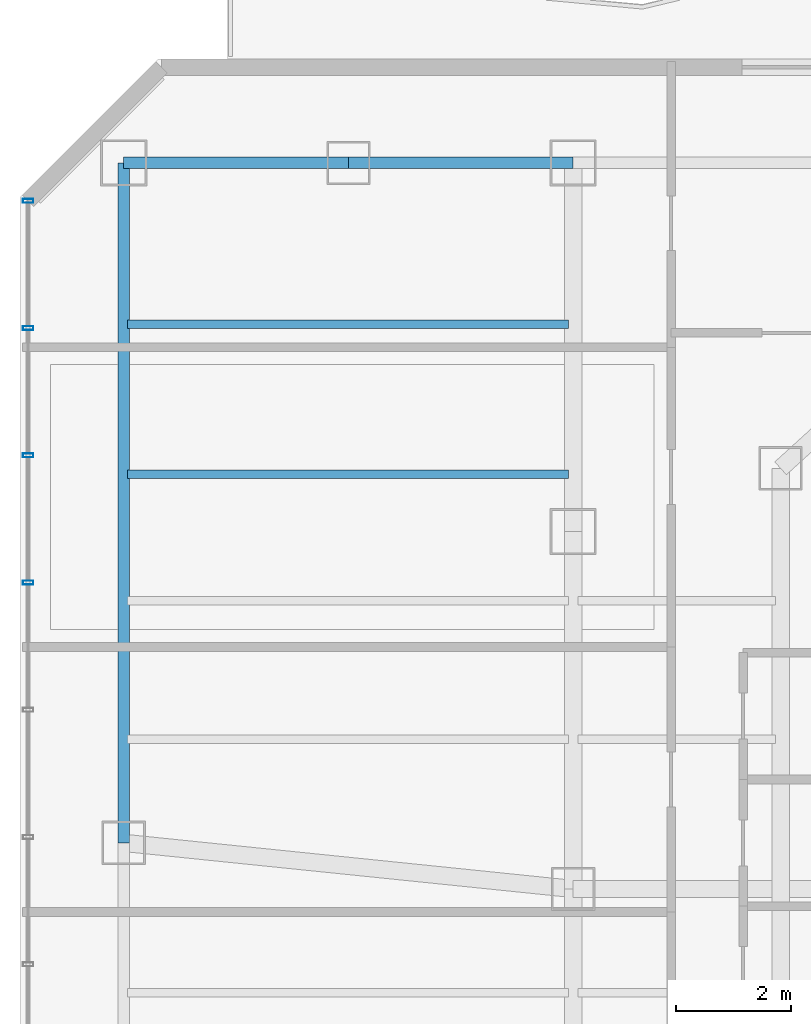
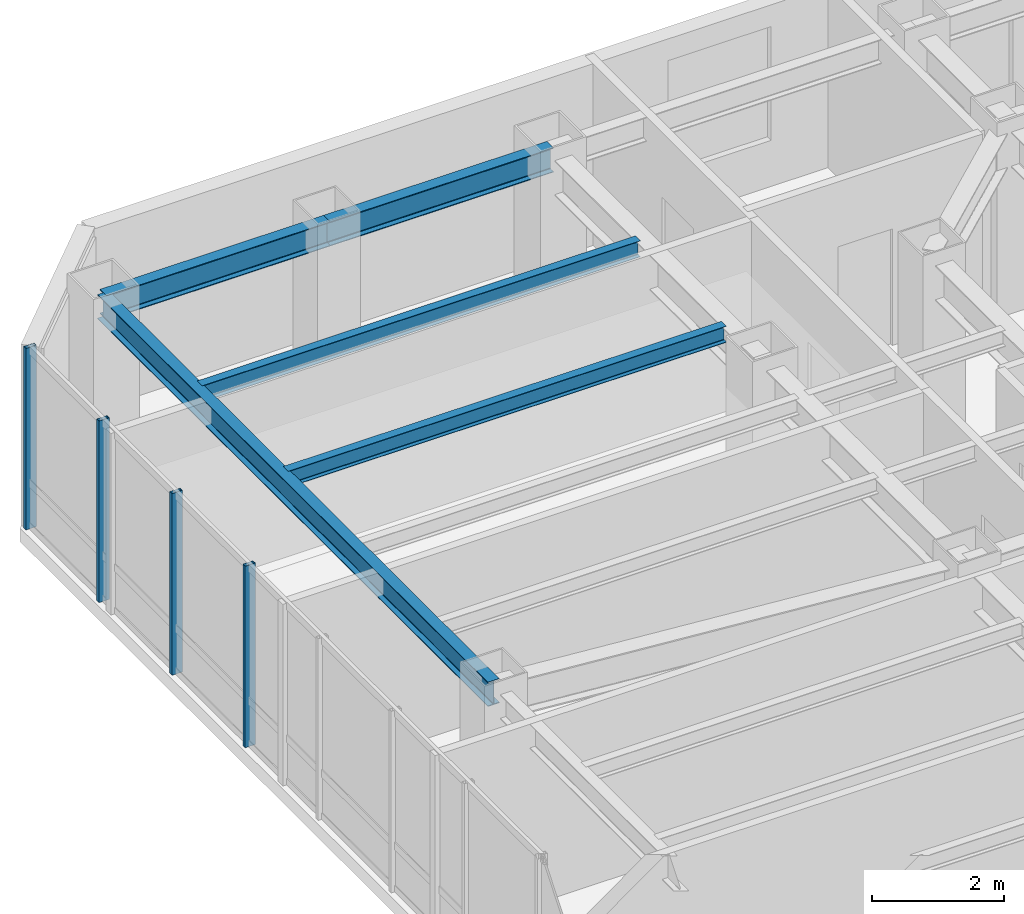
# One storey, part 17 of 27: 5 beams, 4 members, 1 element without a shape of its own.
"""IFC4 building model written with IfcOpenShell, lengths in metres."""

from ifc_helpers import new_model, si_unit, direction, frame, origin, origin_2d, place, context, subcontext, project, spatial, hollow_rectangle, i_section, extrude, material, layer, layer_set, material_profile, profile_set, type_object, element, aggregate, save


model = new_model("IFC4")

# Units and contexts
model_context = context("Model", 3, precision=1e-05, world=origin(), true_north=direction((0.0, 1.0)))
body_context = subcontext(model_context, "Body", "Model", "MODEL_VIEW")
ifc_project = project(units=[si_unit("LENGTHUNIT", "METRE"), si_unit("AREAUNIT", "SQUARE_METRE"), si_unit("VOLUMEUNIT", "CUBIC_METRE"), si_unit("PLANEANGLEUNIT", "RADIAN"), si_unit("MASSUNIT", "GRAM", prefix="KILO")], contexts=[model_context])

# Site, building, storey
site_placement = place(None, origin())
site = spatial("IfcSite", under=ifc_project, at=site_placement, CompositionType="ELEMENT")
building_placement = place(site_placement, origin())
building = spatial("IfcBuilding", under=site, at=building_placement, Name="Hatsunagi Terrace Concourse", CompositionType="ELEMENT")
storey_placement = place(building_placement, frame((0.0, 0.0, 167.25)))
storey = spatial("IfcBuildingStorey", under=building, at=storey_placement, Name="L44", CompositionType="ELEMENT", Elevation=167.25)

# Curtain wall, members
ifc_material_1 = material(Name="Anodised Aluminium Alloy 6063-T5", Category="aluminium")
ifc_layer = layer(ifc_material_1, 0.199951171875)
ifc_layer_set = layer_set([ifc_layer], Name="OfficeZone1_CW03")
curtain_wall_type = type_object("IfcCurtainWallType", Name="OfficeZone1_CW03", PredefinedType="NOTDEFINED", material=ifc_layer_set)
curtain_wall_placement = place(storey_placement, origin())
curtain_wall = element("IfcCurtainWall", 1, at=curtain_wall_placement, inside=storey, type_object=curtain_wall_type, Name="Unitised Curtain Wall CW-03 CW-L44-09", PredefinedType="NOTDEFINED")
ifc_material_2 = material(Name="Anodised Aluminium Alloy 6063-T5", Category="aluminium")
ifc_material_profile_1 = material_profile(ifc_material_2, hollow_rectangle(XDim=0.070068359375, YDim=0.179931640625, WallThickness=0.00390625, at=origin_2d()), Name="ALU-MUL-180x70x4")
ifc_profile_set_1 = profile_set([ifc_material_profile_1], Name="Anodised Aluminium Alloy 6063-T5")
member_type = type_object("IfcMemberType", Name="CurtainWallMullion_180x70", PredefinedType="MULLION", material=ifc_profile_set_1)
member_1_placement = place(storey_placement, frame((9.739990234375, 41.31689453125, 0.0), z_axis=(0.0, 0.0, 1.0), x_axis=(0.0, 1.0, 0.0)))
member_1 = element("IfcMember", 2, at=member_1_placement, type_object=member_type, Name="Curtain Wall Mullion MUL-02", PredefinedType="MULLION", context=body_context, shape_type="SweptSolid", body=[
    extrude(hollow_rectangle(XDim=0.070068359375, YDim=0.179931640625, WallThickness=0.00390625, at=origin_2d()), origin(), (0.0, 0.0, 1.0), 3.35009765625),
])
member_2_placement = place(storey_placement, frame((9.739990234375, 43.52490234375, 0.0), z_axis=(0.0, 0.0, 1.0), x_axis=(0.0, 1.0, 0.0)))
member_2 = element("IfcMember", 3, at=member_2_placement, type_object=member_type, Name="Curtain Wall Mullion MUL-02", PredefinedType="MULLION", context=body_context, shape_type="SweptSolid", body=[
    extrude(hollow_rectangle(XDim=0.070068359375, YDim=0.179931640625, WallThickness=0.00390625, at=origin_2d()), origin(), (0.0, 0.0, 1.0), 3.35009765625),
])
member_3_placement = place(storey_placement, frame((9.739990234375, 45.73388671875, 0.0), z_axis=(0.0, 0.0, 1.0), x_axis=(0.0, 1.0, 0.0)))
member_3 = element("IfcMember", 4, at=member_3_placement, type_object=member_type, Name="Curtain Wall Mullion MUL-02", PredefinedType="MULLION", context=body_context, shape_type="SweptSolid", body=[
    extrude(hollow_rectangle(XDim=0.070068359375, YDim=0.179931640625, WallThickness=0.00390625, at=origin_2d()), origin(), (0.0, 0.0, 1.0), 3.35009765625),
])
member_4_placement = place(storey_placement, frame((9.739990234375, 47.94189453125, 0.0), z_axis=(0.0, 0.0, 1.0), x_axis=(0.0, 1.0, 0.0)))
member_4 = element("IfcMember", 5, at=member_4_placement, type_object=member_type, Name="Curtain Wall Mullion MUL-02", PredefinedType="MULLION", context=body_context, shape_type="SweptSolid", body=[
    extrude(hollow_rectangle(XDim=0.070068359375, YDim=0.179931640625, WallThickness=0.00390625, at=origin_2d()), origin(), (0.0, 0.0, 1.0), 3.35009765625),
])
aggregate(curtain_wall, [member_1, member_2, member_3, member_4])

# Beams
ifc_material_3 = material(Name="Steel SN490B", Category="steel")
ifc_material_profile_2 = material_profile(ifc_material_3, i_section(OverallWidth=0.14990234375, OverallDepth=0.300048828125, WebThickness=0.006591796875, FlangeThickness=0.009033203125, FilletRadius=0.010986328125, at=origin_2d()), Name="H-300x150x6.5x9")
ifc_profile_set_2 = profile_set([ifc_material_profile_2], Name="Steel SN490B")
beam_type_1 = type_object("IfcBeamType", Name="OfficeJoist_H_300x150", PredefinedType="JOIST", material=ifc_profile_set_2)
for number, where, z_axis, x_axis, name in (
    (6, (11.465087890625, 43.199951171875, 3.199951171875), (1.0, 0.0, 0.0), (0.0, 1.0, 0.0), "Beam J-03 J-L44-W-11-432"),
    (7, (11.465087890625, 45.800048828125, 3.199951171875), (1.0, 0.0, 0.0), (0.0, 1.0, 0.0), "Beam J-03 J-L44-W-11-458"),
):
    element("IfcBeam", number, at=place(storey_placement, frame(where, z_axis=z_axis, x_axis=x_axis)), inside=storey, type_object=beam_type_1, Name=name, PredefinedType="JOIST", context=body_context, shape_type="SweptSolid", body=[
        extrude(i_section(OverallWidth=0.14990234375, OverallDepth=0.300048828125, WebThickness=0.006591796875, FlangeThickness=0.009033203125, FilletRadius=0.010986328125, at=origin_2d()), origin(), (0.0, 0.0, 1.0), 7.64990234375),
    ])
ifc_material_4 = material(Name="Steel SN490B", Category="steel")
ifc_material_profile_3 = material_profile(ifc_material_4, i_section(OverallWidth=0.199951171875, OverallDepth=0.449951171875, WebThickness=0.009033203125, FlangeThickness=0.013916015625, FilletRadius=0.01611328125, at=origin_2d()), Name="H-450x200x9x14")
ifc_profile_set_3 = profile_set([ifc_material_profile_3], Name="Steel SN490B")
beam_type_2 = type_object("IfcBeamType", Name="PerimeterSpandrel_H_450x200", PredefinedType="SPANDREL", material=ifc_profile_set_3)
beam_1_placement = place(storey_placement, frame((11.39990234375, 48.60009765625, 3.125), z_axis=(1.0, 0.0, 0.0), x_axis=(0.0, 1.0, 0.0)))
element("IfcBeam", 8, at=beam_1_placement, inside=storey, type_object=beam_type_2, Name="Beam SP-02 BM-L44-WN-11", PredefinedType="SPANDREL", context=body_context, shape_type="SweptSolid", body=[
    extrude(i_section(OverallWidth=0.199951171875, OverallDepth=0.449951171875, WebThickness=0.009033203125, FlangeThickness=0.013916015625, FilletRadius=0.01611328125, at=origin_2d()), origin(), (0.0, 0.0, 1.0), 3.900146484375),
])
beam_2_placement = place(storey_placement, frame((15.300048828125, 48.60009765625, 3.125), z_axis=(1.0, 0.0, 0.0), x_axis=(0.0, 1.0, 0.0)))
element("IfcBeam", 9, at=beam_2_placement, inside=storey, type_object=beam_type_2, Name="Beam SP-02 BM-L44-WN-15", PredefinedType="SPANDREL", context=body_context, shape_type="SweptSolid", body=[
    extrude(i_section(OverallWidth=0.199951171875, OverallDepth=0.449951171875, WebThickness=0.009033203125, FlangeThickness=0.013916015625, FilletRadius=0.01611328125, at=origin_2d()), origin(), (0.0, 0.0, 1.0), 3.89990234375),
])
beam_3_placement = place(storey_placement, frame((11.39990234375, 36.800048828125, 3.125), z_axis=(0.0, 1.0, 0.0), x_axis=(-1.0, 0.0, 0.0)))
element("IfcBeam", 10, at=beam_3_placement, inside=storey, type_object=beam_type_2, Name="Beam SP-02 BM-L44-NS-11-36", PredefinedType="SPANDREL", context=body_context, shape_type="SweptSolid", body=[
    extrude(i_section(OverallWidth=0.199951171875, OverallDepth=0.449951171875, WebThickness=0.009033203125, FlangeThickness=0.013916015625, FilletRadius=0.01611328125, at=origin_2d()), origin(), (0.0, 0.0, 1.0), 11.800048828125),
])

save(model, "model.ifc")
